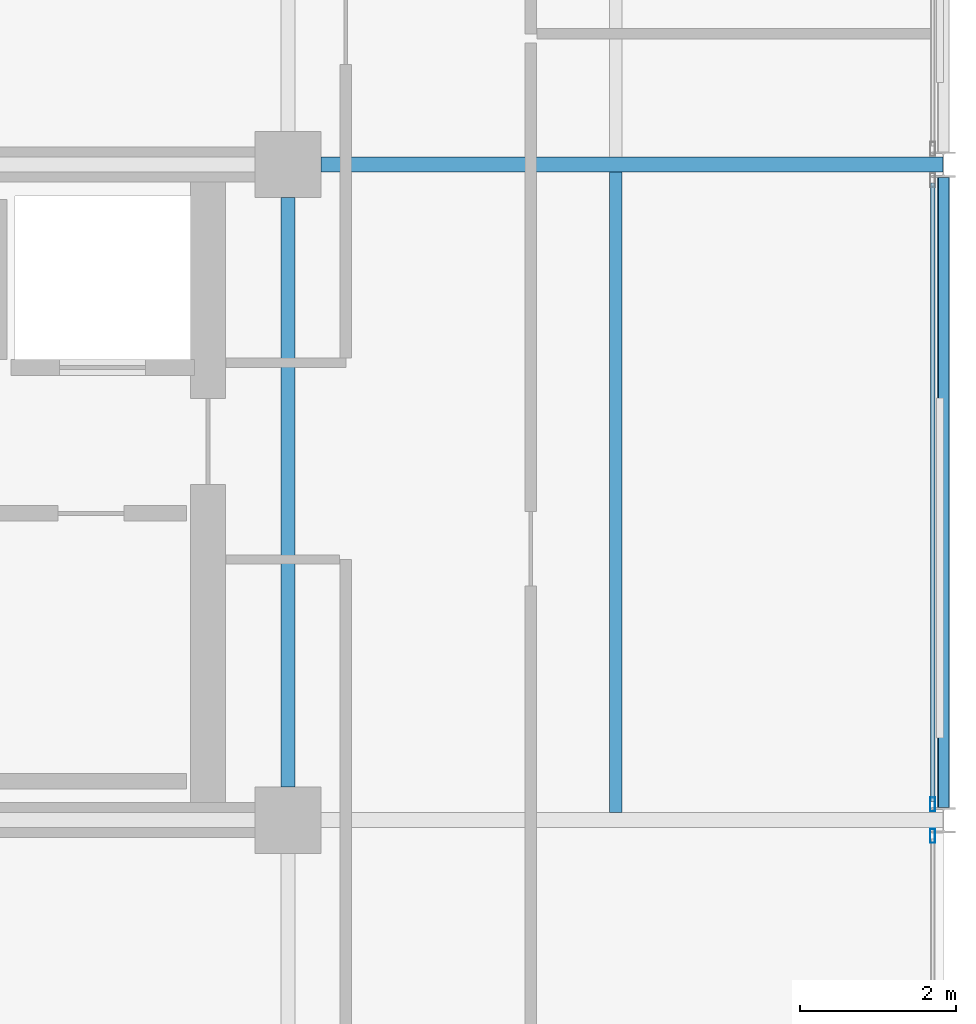
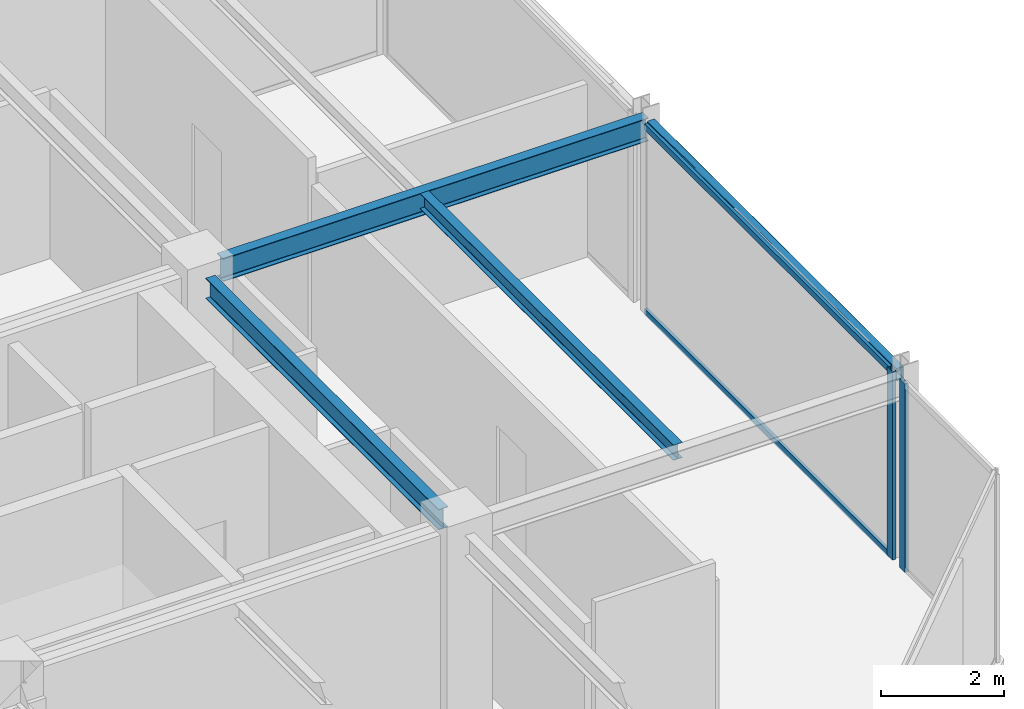
# One storey, part 15 of 26: 4 beams, 4 members, 2 elements without a shape of their own.
"""IFC4 building model written with IfcOpenShell, lengths in metres."""

from ifc_helpers import new_model, si_unit, direction, frame, origin, origin_2d, place, context, subcontext, project, spatial, hollow_rectangle, i_section, extrude, material, layer, layer_set, material_profile, profile_set, type_object, element, aggregate, save


model = new_model("IFC4")

# Units and contexts
model_context = context("Model", 3, precision=1e-05, world=origin(), true_north=direction((0.0, 1.0)))
body_context = subcontext(model_context, "Body", "Model", "MODEL_VIEW")
ifc_project = project(units=[si_unit("LENGTHUNIT", "METRE"), si_unit("AREAUNIT", "SQUARE_METRE"), si_unit("VOLUMEUNIT", "CUBIC_METRE"), si_unit("PLANEANGLEUNIT", "RADIAN"), si_unit("MASSUNIT", "GRAM", prefix="KILO")], contexts=[model_context])

# Site, building, storey
site_placement = place(None, origin())
site = spatial("IfcSite", under=ifc_project, at=site_placement, CompositionType="ELEMENT")
building_placement = place(site_placement, origin())
building = spatial("IfcBuilding", under=site, at=building_placement, Name="Nerrivon Quay Data Exchange", CompositionType="ELEMENT")
storey_placement = place(building_placement, frame((0.0, 0.0, 250.199951171875)))
storey = spatial("IfcBuildingStorey", under=building, at=storey_placement, Name="L59", CompositionType="ELEMENT", Elevation=250.199951171875)

# Beams
ifc_material_1 = material(Name="Steel Grade 350", Category="steel")
ifc_material_profile_1 = material_profile(ifc_material_1, i_section(OverallWidth=0.18994140625, OverallDepth=0.4541015625, WebThickness=0.008544921875, FlangeThickness=0.0126953125, FilletRadius=0.011474609375, at=origin_2d()), Name="460UB67.1")
ifc_profile_set_1 = profile_set([ifc_material_profile_1], Name="Steel Grade 350")
beam_type_1 = type_object("IfcBeamType", Name="BM-G6-460UB67", PredefinedType="BEAM", material=ifc_profile_set_1)
beam_1_placement = place(storey_placement, frame((34.02490234375, 16.800048828125, 3.498046875), z_axis=(1.0, 0.0, 0.0), x_axis=(0.0, 1.0, 0.0)))
element("IfcBeam", 1, at=beam_1_placement, inside=storey, type_object=beam_type_1, Name="L59 EW Girder Y=16.8 (33.6..42.0)", PredefinedType="BEAM", context=body_context, shape_type="SweptSolid", body=[
    extrude(i_section(OverallWidth=0.18994140625, OverallDepth=0.4541015625, WebThickness=0.008544921875, FlangeThickness=0.0126953125, FilletRadius=0.011474609375, at=origin_2d()), origin(), (0.0, 0.0, 1.0), 7.96728515625),
])
ifc_material_profile_2 = material_profile(ifc_material_1, i_section(OverallWidth=0.177978515625, OverallDepth=0.406005859375, WebThickness=0.0078125, FlangeThickness=0.0126953125, FilletRadius=0.011474609375, at=origin_2d()), Name="410UB59.7")
ifc_profile_set_2 = profile_set([ifc_material_profile_2], Name="Steel Grade 350")
beam_type_2 = type_object("IfcBeamType", Name="BM-J1-410UB60", PredefinedType="JOIST", material=ifc_profile_set_2)
beam_2_placement = place(storey_placement, frame((33.60009765625, 8.824951171875, 3.52197265625), z_axis=(0.0, 1.0, 0.0), x_axis=(-1.0, 0.0, 0.0)))
element("IfcBeam", 2, at=beam_2_placement, inside=storey, type_object=beam_type_2, Name="L59 NS Girder X=33.6 (8.4..16.8)", PredefinedType="JOIST", context=body_context, shape_type="SweptSolid", body=[
    extrude(i_section(OverallWidth=0.177978515625, OverallDepth=0.406005859375, WebThickness=0.0078125, FlangeThickness=0.0126953125, FilletRadius=0.011474609375, at=origin_2d()), origin(), (0.0, 0.0, 1.0), 7.550048828125),
])
ifc_material_profile_3 = material_profile(ifc_material_1, i_section(OverallWidth=0.1650390625, OverallDepth=0.303955078125, WebThickness=0.006103515625, FlangeThickness=0.01025390625, FilletRadius=0.011474609375, at=origin_2d()), Name="310UB40.4")
ifc_profile_set_3 = profile_set([ifc_material_profile_3], Name="Steel Grade 350")
beam_type_3 = type_object("IfcBeamType", Name="BM-J6-310UB40", PredefinedType="JOIST", material=ifc_profile_set_3)
beam_3_placement = place(storey_placement, frame((37.800048828125, 8.4951171875, 3.572998046875), z_axis=(0.0, 1.0, 0.0), x_axis=(-1.0, 0.0, 0.0)))
element("IfcBeam", 3, at=beam_3_placement, inside=storey, type_object=beam_type_3, Name="L59 Secondary Joist X=37.8 (8.4..16.8)", PredefinedType="JOIST", context=body_context, shape_type="SweptSolid", body=[
    extrude(i_section(OverallWidth=0.1650390625, OverallDepth=0.303955078125, WebThickness=0.006103515625, FlangeThickness=0.01025390625, FilletRadius=0.011474609375, at=origin_2d()), origin(), (0.0, 0.0, 1.0), 8.2099609375),
])
ifc_material_2 = material(Name="Steel Grade C350L0 (350 MPa)", Category="steel")
ifc_material_profile_4 = material_profile(ifc_material_2, hollow_rectangle(XDim=0.14990234375, YDim=0.25, WallThickness=0.009033203125, InnerFilletRadius=0.013427734375, OuterFilletRadius=0.0224609375, at=origin_2d()), Name="250x150x9.0RHS")
ifc_profile_set_4 = profile_set([ifc_material_profile_4], Name="Steel Grade C350L0 (350 MPa)")
beam_type_4 = type_object("IfcBeamType", Name="BM-SP4-250x150RHS", PredefinedType="SPANDREL", material=ifc_profile_set_4)
beam_4_placement = place(storey_placement, frame((42.0, 8.5634765625, 3.60009765625), z_axis=(0.0, 1.0, 0.0), x_axis=(-1.0, 0.0, 0.0)))
element("IfcBeam", 4, at=beam_4_placement, inside=storey, type_object=beam_type_4, Name="L59 NS Girder X=42.0 (8.4..16.8)", PredefinedType="SPANDREL", context=body_context, shape_type="SweptSolid", body=[
    extrude(hollow_rectangle(XDim=0.14990234375, YDim=0.25, WallThickness=0.009033203125, InnerFilletRadius=0.013427734375, OuterFilletRadius=0.0224609375, at=origin_2d()), origin(), (0.0, 0.0, 1.0), 8.072998046875),
])

# Curtain wall, member
ifc_material_3 = material(Name="Anodised aluminium 6063-T6", Category="aluminium")
ifc_layer = layer(ifc_material_3, 0.195068359375)
ifc_layer_set = layer_set([ifc_layer], Name="Anodised aluminium 6063-T6")
curtain_wall_type = type_object("IfcCurtainWallType", Name="CW-SYS-06", PredefinedType="NOTDEFINED", material=ifc_layer_set)
curtain_wall_1_placement = place(storey_placement, origin())
curtain_wall_1 = element("IfcCurtainWall", 5, at=curtain_wall_1_placement, inside=storey, type_object=curtain_wall_type, Name="L59 Unitised Curtain Wall 27", PredefinedType="NOTDEFINED")
ifc_material_profile_5 = material_profile(ifc_material_3, hollow_rectangle(XDim=0.06494140625, YDim=0.179931640625, WallThickness=0.00341796875, at=origin_2d()), Name="ALU-MULL-180x65")
ifc_profile_set_5 = profile_set([ifc_material_profile_5], Name="Anodised aluminium 6063-T6")
member_type_1 = type_object("IfcMemberType", Name="CWM-180x65", PredefinedType="MULLION", material=ifc_profile_set_5)
member_1_placement = place(storey_placement, frame((41.860107421875, 8.60107421875, 0.0), z_axis=(0.0, 0.0, 1.0), x_axis=(1.0, 0.0, 0.0)))
member_1 = element("IfcMember", 6, at=member_1_placement, type_object=member_type_1, Name="CW06 mullion 2", PredefinedType="MULLION", context=body_context, shape_type="SweptSolid", body=[
    extrude(hollow_rectangle(XDim=0.06494140625, YDim=0.179931640625, WallThickness=0.00341796875, at=origin_2d()), origin(), (0.0, 0.0, 1.0), 3.72509765625),
])

curtain_wall_2_placement = place(storey_placement, origin())
curtain_wall_2 = element("IfcCurtainWall", 7, at=curtain_wall_2_placement, inside=storey, type_object=curtain_wall_type, Name="L59 Unitised Curtain Wall 28", PredefinedType="NOTDEFINED")
member_2_placement = place(storey_placement, frame((41.860107421875, 8.198974609375, 0.0), z_axis=(0.0, 0.0, 1.0), x_axis=(1.0, 0.0, 0.0)))
member_2 = element("IfcMember", 8, at=member_2_placement, type_object=member_type_1, Name="CW06 mullion 1", PredefinedType="MULLION", context=body_context, shape_type="SweptSolid", body=[
    extrude(hollow_rectangle(XDim=0.06494140625, YDim=0.179931640625, WallThickness=0.00341796875, at=origin_2d()), origin(), (0.0, 0.0, 1.0), 3.72509765625),
])
aggregate(curtain_wall_2, [member_2])

# Member
ifc_material_profile_6 = material_profile(ifc_material_3, hollow_rectangle(XDim=0.06005859375, YDim=0.1201171875, WallThickness=0.003173828125, at=origin_2d()), Name="ALU-TRAN-120x60")
ifc_profile_set_6 = profile_set([ifc_material_profile_6], Name="Anodised aluminium 6063-T6")
member_type_2 = type_object("IfcMemberType", Name="CWT-120x60", PredefinedType="USERDEFINED", material=ifc_profile_set_6)
member_3_placement = place(storey_placement, frame((41.860107421875, 16.5615234375, 0.032470703125), z_axis=(0.0, -1.0, 0.0), x_axis=(1.0, 0.0, 0.0)))
member_3 = element("IfcMember", 9, at=member_3_placement, type_object=member_type_2, Name="CW06 transom 1.1", ObjectType="TRANSOM", PredefinedType="USERDEFINED", context=body_context, shape_type="SweptSolid", body=[
    extrude(hollow_rectangle(XDim=0.06005859375, YDim=0.1201171875, WallThickness=0.003173828125, at=origin_2d()), origin(), (0.0, 0.0, 1.0), 7.923095703125),
])

member_4_placement = place(storey_placement, frame((41.860107421875, 16.5615234375, 3.692626953125), z_axis=(0.0, -1.0, 0.0), x_axis=(1.0, 0.0, 0.0)))
member_4 = element("IfcMember", 10, at=member_4_placement, type_object=member_type_2, Name="CW06 transom 1.2", ObjectType="TRANSOM", PredefinedType="USERDEFINED", context=body_context, shape_type="SweptSolid", body=[
    extrude(hollow_rectangle(XDim=0.06005859375, YDim=0.1201171875, WallThickness=0.003173828125, at=origin_2d()), origin(), (0.0, 0.0, 1.0), 7.923095703125),
])

aggregate(curtain_wall_1, [member_1, member_3, member_4])

save(model, "model.ifc")
